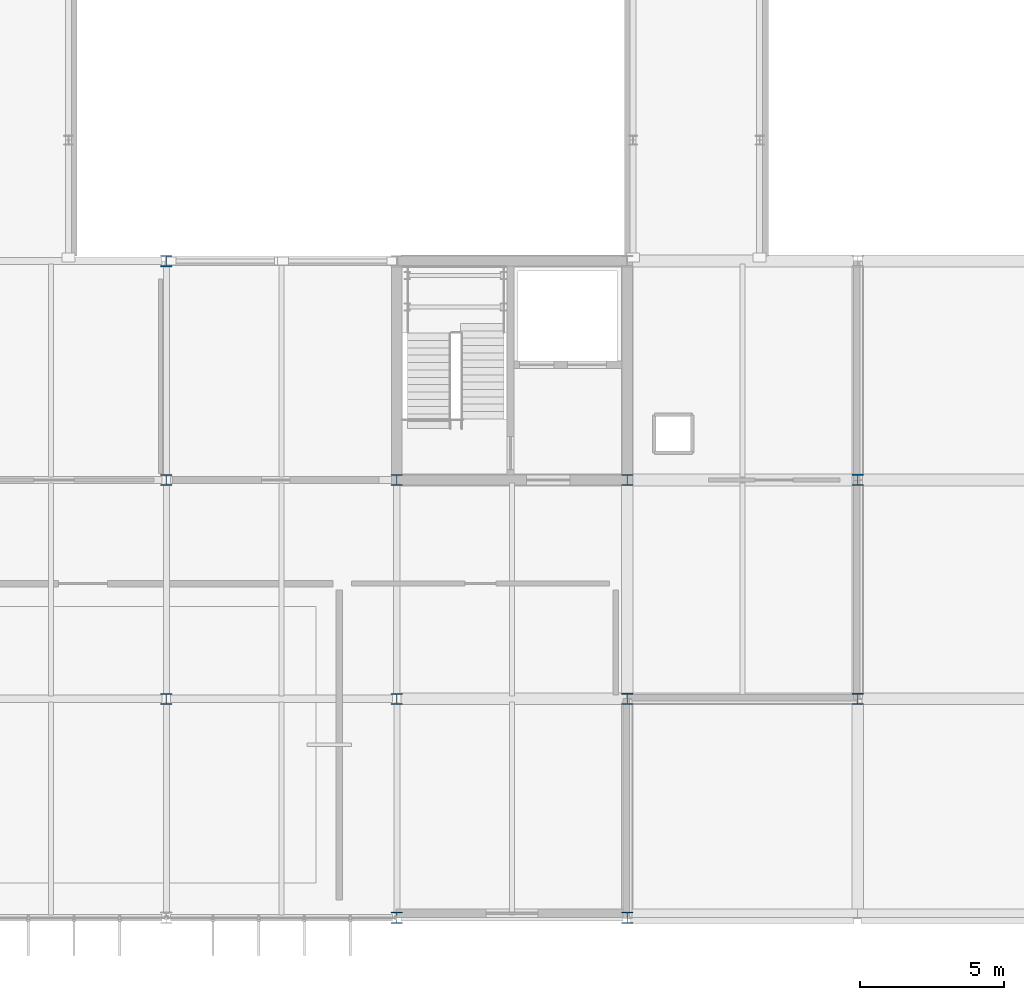
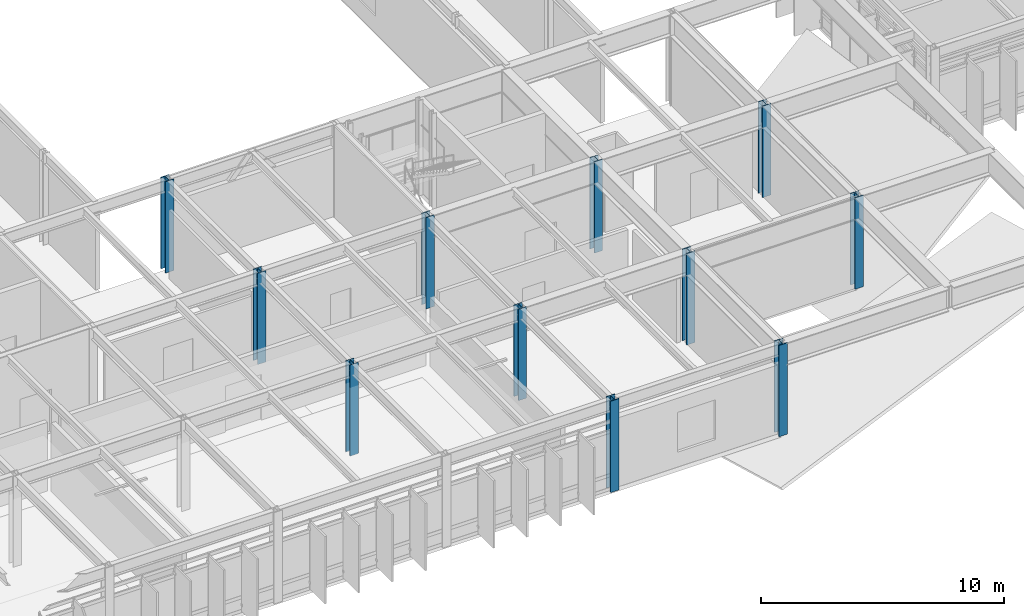
# One storey, part 3 of 104: 11 columns.
"""IFC4 building model written with IfcOpenShell, lengths in metres."""

from ifc_helpers import new_model, si_unit, direction, frame, origin, origin_2d, place, context, subcontext, project, spatial, i_section, extrude, material, material_profile, profile_set, type_object, element, save


model = new_model("IFC4")

# Units and contexts
model_context = context("Model", 3, precision=1e-05, world=origin(), true_north=direction((0.0, 1.0)))
body_context = subcontext(model_context, "Body", "Model", "MODEL_VIEW")
ifc_project = project(units=[si_unit("LENGTHUNIT", "METRE"), si_unit("AREAUNIT", "SQUARE_METRE"), si_unit("VOLUMEUNIT", "CUBIC_METRE"), si_unit("PLANEANGLEUNIT", "RADIAN"), si_unit("MASSUNIT", "GRAM", prefix="KILO")], contexts=[model_context])

# Site, building, storey
site_placement = place(None, origin())
site = spatial("IfcSite", under=ifc_project, at=site_placement, CompositionType="ELEMENT")
building_placement = place(site_placement, origin())
building = spatial("IfcBuilding", under=site, at=building_placement, Name="Zulena Civic Courthouse", CompositionType="ELEMENT")
storey_placement = place(building_placement, frame((0.0, 0.0, 10.800048828125)))
storey = spatial("IfcBuildingStorey", under=building, at=storey_placement, Name="L02", CompositionType="ELEMENT", Elevation=10.800048828125)

# Columns
ifc_material = material(Name="Steel ASTM A992 Grade 50", Category="steel")
ifc_material_profile_1 = material_profile(ifc_material, i_section(OverallWidth=0.39404296875, OverallDepth=0.3759765625, WebThickness=0.017333984375, FlangeThickness=0.027587890625, FilletRadius=0.01513671875, at=origin_2d()), Name="W14X145")
ifc_profile_set_1 = profile_set([ifc_material_profile_1], Name="Steel ASTM A992 Grade 50")
column_type_1 = type_object("IfcColumnType", Name="Col_W14X145", PredefinedType="COLUMN", material=ifc_profile_set_1)
for number, where, z_axis, x_axis, name in (
    (1, (36.0, 7.60009765625, 0.0), (0.0, 0.0, 1.0), (1.0, 0.0, 0.0), "col:V2:L02:36.0:7.6"),
    (2, (36.0, 15.199951171875, 0.0), (0.0, 0.0, 1.0), (1.0, 0.0, 0.0), "col:V2:L02:36.0:15.2"),
    (3, (44.0, 7.60009765625, 0.0), (0.0, 0.0, 1.0), (1.0, 0.0, 0.0), "col:V2:L02:44.0:7.6"),
    (4, (44.0, 15.199951171875, 0.0), (0.0, 0.0, 1.0), (1.0, 0.0, 0.0), "col:V2:L02:44.0:15.2"),
    (5, (52.0, 15.199951171875, 0.0), (0.0, 0.0, 1.0), (1.0, 0.0, 0.0), "col:V2:L02:52.0:15.2"),
):
    element("IfcColumn", number, at=place(storey_placement, frame(where, z_axis=z_axis, x_axis=x_axis)), inside=storey, type_object=column_type_1, Name=name, PredefinedType="COLUMN", context=body_context, shape_type="SweptSolid", body=[
        extrude(i_section(OverallWidth=0.39404296875, OverallDepth=0.3759765625, WebThickness=0.017333984375, FlangeThickness=0.027587890625, FilletRadius=0.01513671875, at=origin_2d()), origin(), (0.0, 0.0, 1.0), 4.58984375),
    ])
ifc_material_profile_2 = material_profile(ifc_material, i_section(OverallWidth=0.40087890625, OverallDepth=0.39892578125, WebThickness=0.02490234375, FlangeThickness=0.03955078125, FilletRadius=0.01513671875, at=origin_2d()), Name="W14X211")
ifc_profile_set_2 = profile_set([ifc_material_profile_2], Name="Steel ASTM A992 Grade 50")
column_type_2 = type_object("IfcColumnType", Name="Col_W14X211", PredefinedType="COLUMN", material=ifc_profile_set_2)
for number, where, z_axis, x_axis, name in (
    (6, (36.0, 22.800048828125, 0.0), (0.0, 0.0, 1.0), (1.0, 0.0, 0.0), "col:V2:L02:36.0:22.8"),
    (7, (44.0, 0.0, 0.0), (0.0, 0.0, 1.0), (1.0, 0.0, 0.0), "col:V2:L02:44.0:0.0"),
    (8, (52.0, 0.0, 0.0), (0.0, 0.0, 1.0), (1.0, 0.0, 0.0), "col:V2:L02:52.0:0.0"),
    (9, (52.0, 7.60009765625, 0.0), (0.0, 0.0, 1.0), (1.0, 0.0, 0.0), "col:V2:L02:52.0:7.6"),
    (10, (60.0, 7.60009765625, 0.0), (0.0, 0.0, 1.0), (1.0, 0.0, 0.0), "col:V2:L02:60.0:7.6"),
    (11, (60.0, 15.199951171875, 0.0), (0.0, 0.0, 1.0), (1.0, 0.0, 0.0), "col:V2:L02:60.0:15.2"),
):
    element("IfcColumn", number, at=place(storey_placement, frame(where, z_axis=z_axis, x_axis=x_axis)), inside=storey, type_object=column_type_2, Name=name, PredefinedType="COLUMN", context=body_context, shape_type="SweptSolid", body=[
        extrude(i_section(OverallWidth=0.40087890625, OverallDepth=0.39892578125, WebThickness=0.02490234375, FlangeThickness=0.03955078125, FilletRadius=0.01513671875, at=origin_2d()), origin(), (0.0, 0.0, 1.0), 4.58984375),
    ])

save(model, "model.ifc")
